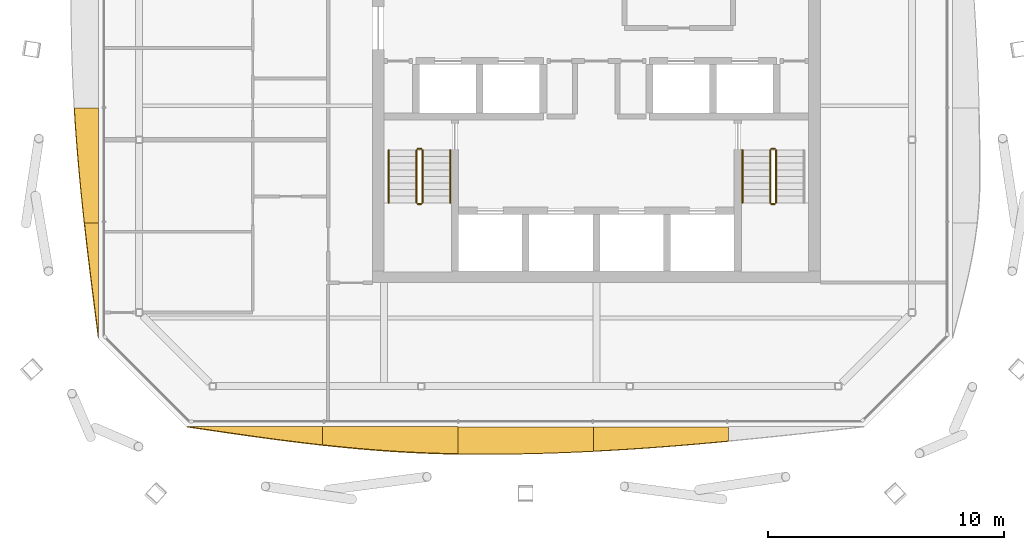
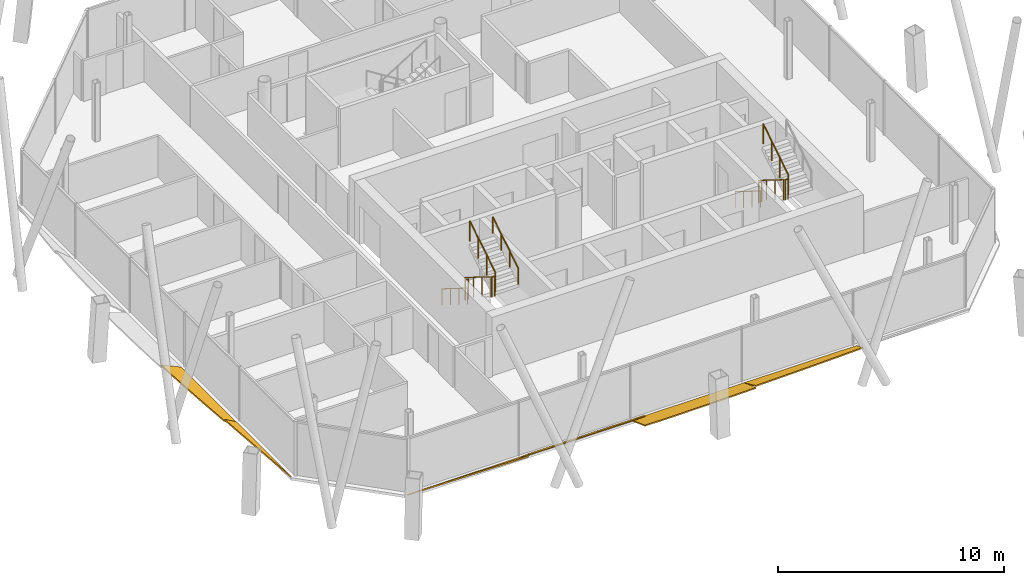
# One storey, part 15 of 17: 11 railings, 6 shading devices.
"""IFC4 building model written with IfcOpenShell, lengths in metres."""

from ifc_helpers import new_model, si_unit, direction, frame, origin, origin_2d, place, context, subcontext, project, spatial, polyline, circle, outline, extrude, material, layer, layer_set, type_object, element, save


model = new_model("IFC4")

# Units and contexts
model_context = context("Model", 3, precision=1e-05, world=origin(), true_north=direction((0.0, 1.0)))
body_context = subcontext(model_context, "Body", "Model", "MODEL_VIEW")
ifc_project = project(units=[si_unit("LENGTHUNIT", "METRE"), si_unit("AREAUNIT", "SQUARE_METRE"), si_unit("VOLUMEUNIT", "CUBIC_METRE"), si_unit("PLANEANGLEUNIT", "RADIAN"), si_unit("MASSUNIT", "GRAM", prefix="KILO")], contexts=[model_context])

# Site, building, storey
site_placement = place(None, origin())
site = spatial("IfcSite", under=ifc_project, at=site_placement, CompositionType="ELEMENT")
building_placement = place(site_placement, origin())
building = spatial("IfcBuilding", under=site, at=building_placement, Name="Tskaro Facet Tower", CompositionType="ELEMENT")
storey_placement = place(building_placement, frame((0.0, 0.0, 236.10009765625)))
storey = spatial("IfcBuildingStorey", under=building, at=storey_placement, Name="L61", CompositionType="ELEMENT", Elevation=236.10009765625)

# Shading devices
ifc_material_1 = material(Name="Bronze anodised aluminium 6063-T6", Category="aluminium")
ifc_layer = layer(ifc_material_1, 0.06005859375, Name="Bronze anodised aluminium 6063-T6")
ifc_layer_set = layer_set([ifc_layer], Name="Bronze anodised aluminium 6063-T6")
shading_device_type = type_object("IfcShadingDeviceType", Name="Bronze sun blade (FN1)", PredefinedType="USERDEFINED", material=ifc_layer_set)
shading_device_1_placement = place(storey_placement, frame((-17.35693359375, -18.1044921875, 0.049072265625), z_axis=(-1.973847e-06, 0.573421126331, 0.819260771594), x_axis=(0.999999999998, 1.131845e-06, 1.617095e-06)))
element("IfcShadingDevice", 1, at=shading_device_1_placement, inside=storey, type_object=shading_device_type, Name="Fin blade south 1", ObjectType="FIN", PredefinedType="USERDEFINED", context=body_context, shape_type="SweptSolid", body=[
    extrude(outline(polyline([(0.0, 0.0), (5.742675781238813, 0.0), (5.742675781254143, -0.9494369946350943), (5.0249023437060885, -0.8489930820759592), (4.307128906473161, -0.7415088871585191), (3.589111328101376, -0.6275844543932203), (2.8713378907094054, -0.5087198200881793), (2.153564453119591, -0.3853150139170266), (1.435546874786013, -0.25859008140353695), (0.7177734374325455, -0.1299050634636557), (0.0, 0.0)])), origin(), (0.0, 0.0, -1.0), 0.06005859375),
])
shading_device_2_placement = place(storey_placement, frame((-11.6142578125, -18.100341796875, 0.0458984375), z_axis=(-1.3596119e-05, 0.642728473814, 0.766094059997), x_axis=(0.999999999908, 8.738613e-06, 1.0415906e-05)))
element("IfcShadingDevice", 2, at=shading_device_2_placement, inside=storey, type_object=shading_device_type, Name="Fin blade south 2", ObjectType="FIN", PredefinedType="USERDEFINED", context=body_context, shape_type="SweptSolid", body=[
    extrude(outline(polyline([(0.0, 0.0), (5.742919921344198, 0.0), (5.742919923075721, -1.507474174054672), (5.024902341695892, -1.486873567143679), (4.30712890490479, -1.453770256725193), (3.5893554678105373, -1.4085383121644819), (2.871337892331103, -1.3513346495928618), (2.153564453316089, -1.2827203730582348), (1.4357910156359062, -1.2033532656371855), (0.7180175779760947, -1.1141082636402486), (-2.8832264273327137e-10, -1.0149853670674247), (0.0, 0.0)])), origin(), (0.0, 0.0, -1.0), 0.06005859375),
])
shading_device_3_placement = place(storey_placement, frame((-5.871337890625, -18.118408203125, 0.056396484375), z_axis=(-1.245772e-06, 0.341890744939, 0.939739707857), x_axis=(0.999999999999, 4.25918e-07, 1.170701e-06)))
element("IfcShadingDevice", 3, at=shading_device_3_placement, inside=storey, type_object=shading_device_type, Name="Fin blade south 3", ObjectType="FIN", PredefinedType="USERDEFINED", context=body_context, shape_type="SweptSolid", body=[
    extrude(outline(polyline([(0.0, 0.0), (5.742675781245544, -6.080294490147599e-22), (5.742675781315979, -1.1002566652172037), (5.024902343757551, -1.1360912884914602), (4.3071289062780895, -1.1667530530323837), (3.5891113280707643, -1.1919290607802089), (2.8713378904895572, -1.211389883095322), (2.1535644531952847, -1.2252189893978744), (1.4355468749913156, -1.2332494408475636), (0.8039550781423822, -1.2353352782249272), (0.717773437517449, -1.2353352782249272), (4.5260717729094545e-11, -1.2288483374532226), (0.0, 0.0)])), origin(), (0.0, 0.0, -1.0), 0.06005859375),
])
shading_device_4_placement = place(storey_placement, frame((-0.128662109375, -18.113525390625, 0.05419921875), z_axis=(-1.319915e-06, 0.422655881583, 0.906290243665), x_axis=(0.999999999999, 5.5787e-07, 1.196226e-06)))
element("IfcShadingDevice", 4, at=shading_device_4_placement, inside=storey, type_object=shading_device_type, Name="Fin blade south 4", ObjectType="FIN", PredefinedType="USERDEFINED", context=body_context, shape_type="SweptSolid", body=[
    extrude(outline(polyline([(0.0, 0.0), (5.742919921869998, 0.0), (5.74291992187952, -0.6688852992906704), (5.024902343799119, -0.7421734446124626), (4.307128906362016, -0.8119660556429585), (3.5893554686511653, -0.8781599449110684), (2.8715820312113607, -0.9398700633507129), (2.1535644531452047, -0.9975389354949318), (1.4357910155271985, -1.0502963996019858), (0.7180175781605883, -1.0980243808764452), (-7.87156103530775e-12, -1.1408409541137396), (0.0, 0.0)])), origin(), (0.0, 0.0, -1.0), 0.06005859375),
])
shading_device_5_placement = place(storey_placement, frame((-21.113525390625, -4.593505859375, 0.05419921875), z_axis=(0.422619992181, 3.242625e-06, 0.906306980111), x_axis=(1.370398e-06, -0.999999999995, 2.938814e-06)))
element("IfcShadingDevice", 5, at=shading_device_5_placement, inside=storey, type_object=shading_device_type, Name="Fin blade west 4", ObjectType="FIN", PredefinedType="USERDEFINED", context=body_context, shape_type="SweptSolid", body=[
    extrude(outline(polyline([(0.0, 0.0), (4.881591796849336, 0.0), (4.881591796761404, -0.6626612065721706), (4.184326172035219, -0.7456689772631188), (3.486816406631855, -0.8240897902881885), (2.7895507810838223, -0.8978204669383506), (2.092041015479403, -0.9659759418033355), (1.3947753906856821, -1.0282317698215466), (0.6972656247351772, -1.084484772283955), (-1.1840421053899695e-10, -1.1340711501328582), (0.0, 0.0)])), origin(), (0.0, 0.0, -1.0), 0.06005859375),
])
shading_device_6_placement = place(storey_placement, frame((-21.10888671875, -9.47509765625, 0.0517578125), z_axis=(0.500076453472, 2.3758618e-05, 0.865981258526), x_axis=(1.1881125e-05, -0.999999999718, 2.0574518e-05)))
element("IfcShadingDevice", 6, at=shading_device_6_placement, inside=storey, type_object=shading_device_type, Name="Fin blade west 5", ObjectType="FIN", PredefinedType="USERDEFINED", context=body_context, shape_type="SweptSolid", body=[
    extrude(outline(polyline([(0.0, 0.0), (4.881835936122171, 8.27015176430517e-21), (4.184570310888553, -0.10401937722312156), (3.4870605458082577, -0.2074938230568012), (2.7897949207869943, -0.30954489592790957), (2.0922851524524897, -0.40983908565275934), (1.3950195336572668, -0.5075307074083324), (0.6975097680822375, -0.6022534942608301), (-2.869412457499445e-09, -0.6934625148208103), (0.0, 0.0)])), origin(), (0.0, 0.0, -1.0), 0.06005859375),
])

# Railings
ifc_material_2 = material(Name="Stainless steel", Category="steel")
railing_type_1 = type_object("IfcRailingType", Name="RL-GUARD-1100", PredefinedType="GUARDRAIL", material=ifc_material_2)
railing_1_placement = place(storey_placement, frame((-7.625, -6.375, 0.1748046875)))
element("IfcRailing", 7, at=railing_1_placement, inside=storey, type_object=railing_type_1, Name="L61 ST-1 stair guard 1", PredefinedType="GUARDRAIL", context=body_context, shape_type="SweptSolid", body=[
    extrude(circle(Radius=0.02392578125, at=origin_2d()), frame((0.0, 0.0, 1.076171875), z_axis=(0.0, -0.847972341737, 0.530040477369), x_axis=(1.0, 0.0, 0.0)), (0.0, 0.0, 1.0), 2.6416015625),
    extrude(circle(Radius=0.02099609375, at=origin_2d()), origin(), (0.0, 0.0, 1.0), 1.052001953125),
    extrude(circle(Radius=0.02099609375, at=origin_2d()), frame((0.0, -0.74658203125, 0.466796875)), (0.0, 0.0, 1.0), 1.052001953125),
    extrude(circle(Radius=0.02099609375, at=origin_2d()), frame((0.0, -1.493408203125, 0.933349609375)), (0.0, 0.0, 1.0), 1.052001953125),
    extrude(circle(Radius=0.02099609375, at=origin_2d()), frame((0.0, -2.239990234375, 1.400146484375)), (0.0, 0.0, 1.0), 1.052001953125),
])
railing_2_placement = place(storey_placement, frame((-7.574951171875, -8.6650390625, 1.574951171875)))
element("IfcRailing", 8, at=railing_2_placement, inside=storey, type_object=railing_type_1, Name="L61 ST-1 stair guard 2", PredefinedType="GUARDRAIL", context=body_context, shape_type="SweptSolid", body=[
    extrude(circle(Radius=0.02392578125, at=origin_2d()), frame((0.0, 0.0, 1.076171875), z_axis=(1.0, 0.0, 0.0), x_axis=(0.0, 1.0, 0.0)), (0.0, 0.0, 1.0), 0.14990234375),
    extrude(circle(Radius=0.02099609375, at=origin_2d()), origin(), (0.0, 0.0, 1.0), 1.052001953125),
    extrude(circle(Radius=0.02099609375, at=origin_2d()), frame((0.14990234375, 0.0, 0.0)), (0.0, 0.0, 1.0), 1.052001953125),
])
railing_3_placement = place(storey_placement, frame((-7.375, -8.614990234375, 1.75)))
element("IfcRailing", 9, at=railing_3_placement, inside=storey, type_object=railing_type_1, Name="L61 ST-1 stair guard 3", PredefinedType="GUARDRAIL", context=body_context, shape_type="SweptSolid", body=[
    extrude(circle(Radius=0.02392578125, at=origin_2d()), frame((0.0, 0.0, 1.076171875), z_axis=(0.0, 0.848013881152, 0.529974015752), x_axis=(-1.0, 0.0, 0.0)), (0.0, 0.0, 1.0), 2.641357421875),
    extrude(circle(Radius=0.02099609375, at=origin_2d()), origin(), (0.0, 0.0, 1.0), 1.052001953125),
    extrude(circle(Radius=0.02099609375, at=origin_2d()), frame((0.0, 0.74658203125, 0.466552734375)), (0.0, 0.0, 1.0), 1.052001953125),
    extrude(circle(Radius=0.02099609375, at=origin_2d()), frame((0.0, 1.493408203125, 0.933349609375)), (0.0, 0.0, 1.0), 1.052001953125),
    extrude(circle(Radius=0.02099609375, at=origin_2d()), frame((0.0, 2.239990234375, 1.39990234375)), (0.0, 0.0, 1.0), 1.052001953125),
])
railing_4_placement = place(storey_placement, frame((-7.574951171875, -6.324951171875, 0.0)))
element("IfcRailing", 10, at=railing_4_placement, inside=storey, type_object=railing_type_1, Name="L61 ST-1 stair guard 4", PredefinedType="GUARDRAIL", context=body_context, shape_type="SweptSolid", body=[
    extrude(circle(Radius=0.02392578125, at=origin_2d()), frame((0.0, 0.0, 1.076171875), z_axis=(1.0, 0.0, 0.0), x_axis=(0.0, 1.0, 0.0)), (0.0, 0.0, 1.0), 0.14990234375),
    extrude(circle(Radius=0.02099609375, at=origin_2d()), origin(), (0.0, 0.0, 1.0), 1.052001953125),
    extrude(circle(Radius=0.02099609375, at=origin_2d()), frame((0.14990234375, 0.0, 0.0)), (0.0, 0.0, 1.0), 1.052001953125),
])
railing_5_placement = place(storey_placement, frame((7.375, -6.375, 0.1748046875)))
element("IfcRailing", 11, at=railing_5_placement, inside=storey, type_object=railing_type_1, Name="L61 ST-2 stair guard 1", PredefinedType="GUARDRAIL", context=body_context, shape_type="SweptSolid", body=[
    extrude(circle(Radius=0.02392578125, at=origin_2d()), frame((0.0, 0.0, 1.076171875), z_axis=(0.0, -0.847972341737, 0.530040477369), x_axis=(1.0, 0.0, 0.0)), (0.0, 0.0, 1.0), 2.6416015625),
    extrude(circle(Radius=0.02099609375, at=origin_2d()), origin(), (0.0, 0.0, 1.0), 1.052001953125),
    extrude(circle(Radius=0.02099609375, at=origin_2d()), frame((0.0, -0.74658203125, 0.466796875)), (0.0, 0.0, 1.0), 1.052001953125),
    extrude(circle(Radius=0.02099609375, at=origin_2d()), frame((0.0, -1.493408203125, 0.933349609375)), (0.0, 0.0, 1.0), 1.052001953125),
    extrude(circle(Radius=0.02099609375, at=origin_2d()), frame((0.0, -2.239990234375, 1.400146484375)), (0.0, 0.0, 1.0), 1.052001953125),
])
railing_6_placement = place(storey_placement, frame((7.425048828125, -8.6650390625, 1.574951171875)))
element("IfcRailing", 12, at=railing_6_placement, inside=storey, type_object=railing_type_1, Name="L61 ST-2 stair guard 2", PredefinedType="GUARDRAIL", context=body_context, shape_type="SweptSolid", body=[
    extrude(circle(Radius=0.02392578125, at=origin_2d()), frame((0.0, 0.0, 1.076171875), z_axis=(1.0, 0.0, 0.0), x_axis=(0.0, 1.0, 0.0)), (0.0, 0.0, 1.0), 0.14990234375),
    extrude(circle(Radius=0.02099609375, at=origin_2d()), origin(), (0.0, 0.0, 1.0), 1.052001953125),
    extrude(circle(Radius=0.02099609375, at=origin_2d()), frame((0.14990234375, 0.0, 0.0)), (0.0, 0.0, 1.0), 1.052001953125),
])
railing_7_placement = place(storey_placement, frame((7.625, -8.614990234375, 1.75)))
element("IfcRailing", 13, at=railing_7_placement, inside=storey, type_object=railing_type_1, Name="L61 ST-2 stair guard 3", PredefinedType="GUARDRAIL", context=body_context, shape_type="SweptSolid", body=[
    extrude(circle(Radius=0.02392578125, at=origin_2d()), frame((0.0, 0.0, 1.076171875), z_axis=(0.0, 0.848013881152, 0.529974015752), x_axis=(-1.0, 0.0, 0.0)), (0.0, 0.0, 1.0), 2.641357421875),
    extrude(circle(Radius=0.02099609375, at=origin_2d()), origin(), (0.0, 0.0, 1.0), 1.052001953125),
    extrude(circle(Radius=0.02099609375, at=origin_2d()), frame((0.0, 0.74658203125, 0.466552734375)), (0.0, 0.0, 1.0), 1.052001953125),
    extrude(circle(Radius=0.02099609375, at=origin_2d()), frame((0.0, 1.493408203125, 0.933349609375)), (0.0, 0.0, 1.0), 1.052001953125),
    extrude(circle(Radius=0.02099609375, at=origin_2d()), frame((0.0, 2.239990234375, 1.39990234375)), (0.0, 0.0, 1.0), 1.052001953125),
])
railing_8_placement = place(storey_placement, frame((7.425048828125, -6.324951171875, 0.0)))
element("IfcRailing", 14, at=railing_8_placement, inside=storey, type_object=railing_type_1, Name="L61 ST-2 stair guard 4", PredefinedType="GUARDRAIL", context=body_context, shape_type="SweptSolid", body=[
    extrude(circle(Radius=0.02392578125, at=origin_2d()), frame((0.0, 0.0, 1.076171875), z_axis=(1.0, 0.0, 0.0), x_axis=(0.0, 1.0, 0.0)), (0.0, 0.0, 1.0), 0.14990234375),
    extrude(circle(Radius=0.02099609375, at=origin_2d()), origin(), (0.0, 0.0, 1.0), 1.052001953125),
    extrude(circle(Radius=0.02099609375, at=origin_2d()), frame((0.14990234375, 0.0, 0.0)), (0.0, 0.0, 1.0), 1.052001953125),
])
railing_type_2 = type_object("IfcRailingType", Name="RL-HANDRAIL-900", PredefinedType="HANDRAIL", material=ifc_material_2)
railing_9_placement = place(storey_placement, frame((-8.800048828125, -6.375, 0.1748046875)))
element("IfcRailing", 15, at=railing_9_placement, inside=storey, type_object=railing_type_2, Name="L61 ST-1 stair handrail 1", PredefinedType="HANDRAIL", context=body_context, shape_type="SweptSolid", body=[
    extrude(circle(Radius=0.02392578125, at=origin_2d()), frame((0.0, 0.0, 0.8759765625), z_axis=(0.0, -0.847972341737, 0.530040477369), x_axis=(1.0, 0.0, 0.0)), (0.0, 0.0, 1.0), 2.6416015625),
    extrude(circle(Radius=0.02099609375, at=origin_2d()), origin(), (0.0, 0.0, 1.0), 0.851806640625),
    extrude(circle(Radius=0.02099609375, at=origin_2d()), frame((0.0, -0.74658203125, 0.466796875)), (0.0, 0.0, 1.0), 0.851806640625),
    extrude(circle(Radius=0.02099609375, at=origin_2d()), frame((0.0, -1.493408203125, 0.933349609375)), (0.0, 0.0, 1.0), 0.851806640625),
    extrude(circle(Radius=0.02099609375, at=origin_2d()), frame((0.0, -2.239990234375, 1.400146484375)), (0.0, 0.0, 1.0), 0.851806640625),
])
railing_10_placement = place(storey_placement, frame((-6.199951171875, -8.614990234375, 1.75)))
element("IfcRailing", 16, at=railing_10_placement, inside=storey, type_object=railing_type_2, Name="L61 ST-1 stair handrail 2", PredefinedType="HANDRAIL", context=body_context, shape_type="SweptSolid", body=[
    extrude(circle(Radius=0.02392578125, at=origin_2d()), frame((0.0, 0.0, 0.8759765625), z_axis=(0.0, 0.848013881152, 0.529974015752), x_axis=(-1.0, 0.0, 0.0)), (0.0, 0.0, 1.0), 2.641357421875),
    extrude(circle(Radius=0.02099609375, at=origin_2d()), origin(), (0.0, 0.0, 1.0), 0.851806640625),
    extrude(circle(Radius=0.02099609375, at=origin_2d()), frame((0.0, 0.74658203125, 0.466552734375)), (0.0, 0.0, 1.0), 0.851806640625),
    extrude(circle(Radius=0.02099609375, at=origin_2d()), frame((0.0, 1.493408203125, 0.933349609375)), (0.0, 0.0, 1.0), 0.851806640625),
    extrude(circle(Radius=0.02099609375, at=origin_2d()), frame((0.0, 2.239990234375, 1.39990234375)), (0.0, 0.0, 1.0), 0.851806640625),
])
railing_11_placement = place(storey_placement, frame((6.199951171875, -6.375, 0.1748046875)))
element("IfcRailing", 17, at=railing_11_placement, inside=storey, type_object=railing_type_2, Name="L61 ST-2 stair handrail 1", PredefinedType="HANDRAIL", context=body_context, shape_type="SweptSolid", body=[
    extrude(circle(Radius=0.02392578125, at=origin_2d()), frame((0.0, 0.0, 0.8759765625), z_axis=(0.0, -0.847972341737, 0.530040477369), x_axis=(1.0, 0.0, 0.0)), (0.0, 0.0, 1.0), 2.6416015625),
    extrude(circle(Radius=0.02099609375, at=origin_2d()), origin(), (0.0, 0.0, 1.0), 0.851806640625),
    extrude(circle(Radius=0.02099609375, at=origin_2d()), frame((0.0, -0.74658203125, 0.466796875)), (0.0, 0.0, 1.0), 0.851806640625),
    extrude(circle(Radius=0.02099609375, at=origin_2d()), frame((0.0, -1.493408203125, 0.933349609375)), (0.0, 0.0, 1.0), 0.851806640625),
    extrude(circle(Radius=0.02099609375, at=origin_2d()), frame((0.0, -2.239990234375, 1.400146484375)), (0.0, 0.0, 1.0), 0.851806640625),
])

save(model, "model.ifc")
